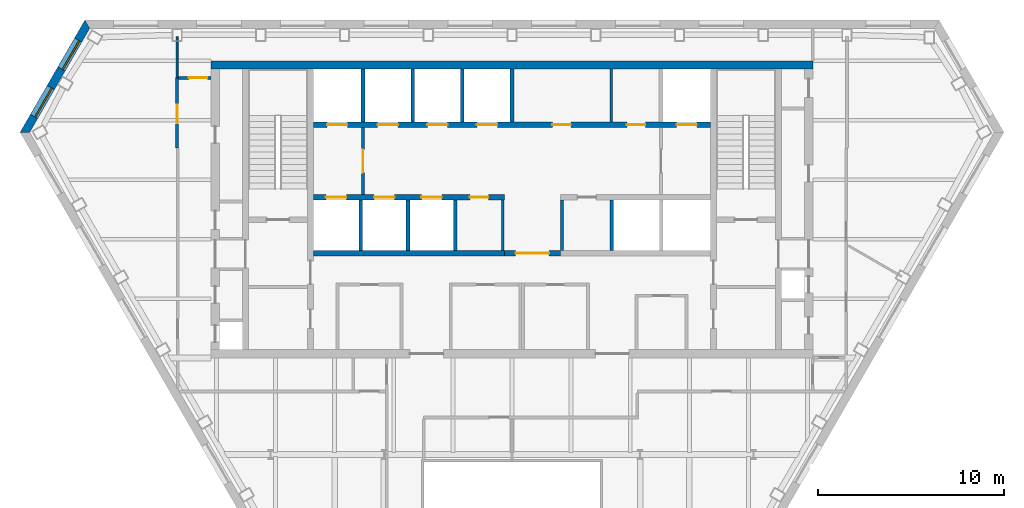
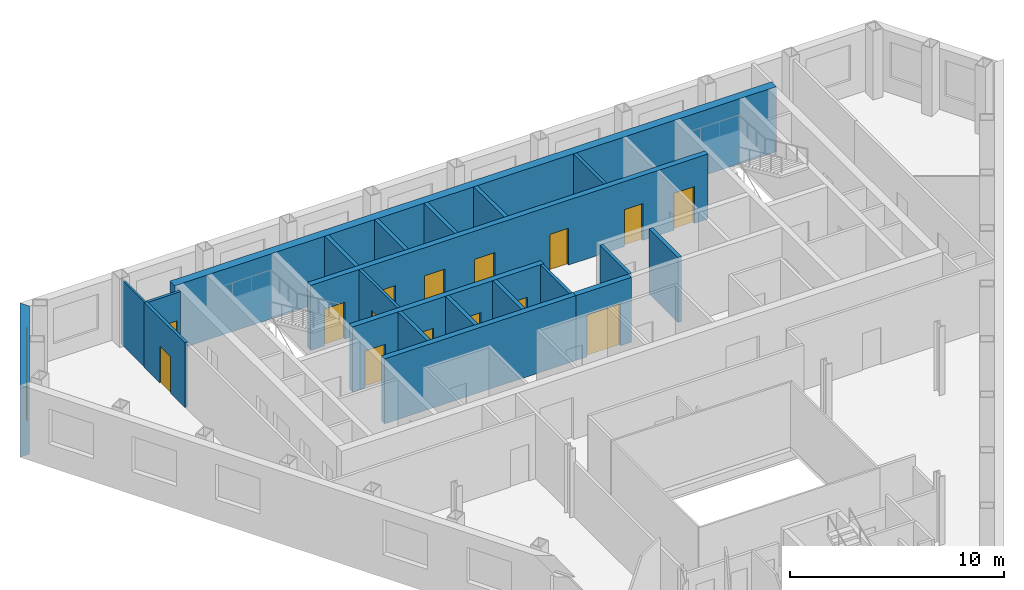
# One storey, part 6 of 11: 21 walls, 15 doors, 2 windows, 17 openings.
"""IFC4 building model written with IfcOpenShell, lengths in metres."""

from ifc_helpers import new_model, si_unit, direction, frame, frame_2d, origin, place, context, subcontext, project, spatial, polyline, rectangle, outline, extrude, material, layer, layer_set, type_object, element, fill, save


model = new_model("IFC4")

# Units and contexts
model_context = context("Model", 3, precision=1e-05, world=origin(), true_north=direction((0.0, 1.0)))
body_context = subcontext(model_context, "Body", "Model", "MODEL_VIEW")
ifc_project = project(units=[si_unit("LENGTHUNIT", "METRE"), si_unit("AREAUNIT", "SQUARE_METRE"), si_unit("VOLUMEUNIT", "CUBIC_METRE"), si_unit("PLANEANGLEUNIT", "RADIAN"), si_unit("MASSUNIT", "GRAM", prefix="KILO")], contexts=[model_context])

# Site, building, storey
site_placement = place(None, origin())
site = spatial("IfcSite", under=ifc_project, at=site_placement, CompositionType="ELEMENT")
building_placement = place(site_placement, origin())
building = spatial("IfcBuilding", under=site, at=building_placement, Name="Njiva Tower", CompositionType="ELEMENT")
storey_placement = place(building_placement, frame((0.0, 0.0, 223.8)))
storey = spatial("IfcBuildingStorey", under=building, at=storey_placement, Name="L50", CompositionType="ELEMENT", Elevation=223.8)

# Walls
ifc_material_1 = material(Name="Blockwork", Category="masonry")
ifc_layer_1 = layer(ifc_material_1, 0.15)
ifc_layer_set_1 = layer_set([ifc_layer_1], Name="Blockwork")
wall_type_1 = type_object("IfcWallType", Name="WT1 Compartment partition 150", PredefinedType="PARTITIONING", material=ifc_layer_set_1)
wall_1_placement = place(storey_placement, frame((5.35, 14.7, 0.0), z_axis=(0.0, 0.0, 1.0), x_axis=(0.0, 1.0, 0.0)))
element("IfcWall", 1, at=wall_1_placement, inside=storey, type_object=wall_type_1, Name="Partition CN6", PredefinedType="PARTITIONING", context=body_context, shape_type="SweptSolid", body=[
    extrude(rectangle(XDim=2.85, YDim=0.15, at=frame_2d((1.425, 0.0))), origin(), (0.0, 0.0, 1.0), 3.7),
])
for number, where, z_axis, x_axis, name in (
    (2, (-0.5, 7.8, 0.0), (0.0, 0.0, 1.0), (0.0, 1.0, 0.0), "Partition CS4"),
    (3, (2.7, 7.8, 0.0), (0.0, 0.0, 1.0), (0.0, 1.0, 0.0), "Partition CS5"),
):
    element("IfcWall", number, at=place(storey_placement, frame(where, z_axis=z_axis, x_axis=x_axis)), inside=storey, type_object=wall_type_1, Name=name, PredefinedType="PARTITIONING", context=body_context, shape_type="SweptSolid", body=[
        extrude(rectangle(XDim=2.7, YDim=0.15, at=frame_2d((1.35, 0.0))), origin(), (0.0, 0.0, 1.0), 3.7),
    ])
ifc_material_2 = material(Name="Concrete C60/75", Category="concrete")
ifc_layer_2 = layer(ifc_material_2, 0.45)
ifc_layer_set_2 = layer_set([ifc_layer_2], Name="Concrete C60/75")
wall_type_2 = type_object("IfcWallType", Name="WT12 Core wall 450", PredefinedType="SHEAR", material=ifc_layer_set_2)
wall_2_placement = place(storey_placement, frame((-16.2, 17.775, 0.0), z_axis=(0.0, 0.0, 1.0), x_axis=(1.0, 0.0, 0.0)))
element("IfcWall", 4, at=wall_2_placement, inside=storey, type_object=wall_type_2, Name="Core wall north", PredefinedType="SHEAR", context=body_context, shape_type="SweptSolid", body=[
    extrude(rectangle(XDim=32.4, YDim=0.45, at=frame_2d((16.2, 0.0))), origin(), (0.0, 0.0, 1.0), 3.7),
])

# Wall, opening, door
ifc_layer_3 = layer(ifc_material_1, 0.15)
ifc_layer_set_3 = layer_set([ifc_layer_3], Name="Blockwork")
wall_type_3 = type_object("IfcWallType", Name="WT2 Lobby partition 150", PredefinedType="PARTITIONING", material=ifc_layer_set_3)
wall_3_placement = place(storey_placement, frame((-8.025, 10.8, 0.0), z_axis=(0.0, 0.0, 1.0), x_axis=(0.0, 1.0, 0.0)))
wall_3 = element("IfcWall", 5, at=wall_3_placement, inside=storey, type_object=wall_type_3, Name="Firefighting lobby wall A", PredefinedType="PARTITIONING", context=body_context, shape_type="SweptSolid", body=[
    extrude(rectangle(XDim=3.6, YDim=0.15, at=frame_2d((1.8, 0.0))), origin(), (0.0, 0.0, 1.0), 3.7),
])
opening_1_placement = place(wall_3_placement, frame((1.175, 0.0, 0.0)))
opening_1 = element("IfcOpeningElement", 6, at=opening_1_placement, cuts=wall_3, Name="Opening S16-D913", PredefinedType="OPENING", context=body_context, shape_type="SweptSolid", body=[
    extrude(rectangle(XDim=1.25, YDim=2.1, at=frame_2d((0.625, 1.05))), frame((0.0, 0.085, 0.0), z_axis=(0.0, -1.0, 0.0), x_axis=(1.0, 0.0, 0.0)), (0.0, 0.0, 1.0), 0.17),
])
ifc_material_3 = material(Name="Glazed steel fire door", Category="steel")
door_type_1 = type_object("IfcDoorType", Name="D8 Vestibule corridor door 1250x2100 glazed", OperationType="SINGLE_SWING_LEFT", PredefinedType="DOOR", material=ifc_material_3)
door_1_placement = place(opening_1_placement, origin())
door_1 = element("IfcDoor", 7, at=door_1_placement, inside=storey, type_object=door_type_1, Name="Stair vestibule corridor door", OperationType="SINGLE_SWING_RIGHT", OverallHeight=2.1, OverallWidth=1.25, PredefinedType="DOOR", context=body_context, shape_type="SweptSolid", body=[
    extrude(rectangle(XDim=1.25, YDim=2.1, at=frame_2d((0.625, 1.05))), frame((0.0, 0.025, 0.0), z_axis=(0.0, -1.0, 0.0), x_axis=(1.0, 0.0, 0.0)), (0.0, 0.0, 1.0), 0.05),
])
fill(opening_1, door_1)

# Wall
ifc_material_4 = material(Name="Gypsum board on steel studs", Category="gypsum")
ifc_layer_4 = layer(ifc_material_4, 0.1)
ifc_layer_set_4 = layer_set([ifc_layer_4], Name="Gypsum board on steel studs")
wall_type_4 = type_object("IfcWallType", Name="WT20 Gypsum partition 100", PredefinedType="PARTITIONING", material=ifc_layer_set_4)
wall_4_placement = place(storey_placement, frame((-18.034, 17.091, 0.0), z_axis=(0.0, 0.0, 1.0), x_axis=(0.0, 1.0, 0.0)))
element("IfcWall", 8, at=wall_4_placement, inside=storey, type_object=wall_type_4, Name="Partition S16-P002", PredefinedType="PARTITIONING", context=body_context, shape_type="SweptSolid", body=[
    extrude(rectangle(XDim=2.209, YDim=0.1, at=frame_2d((1.1045, 0.0))), origin(), (0.0, 0.0, 1.0), 3.7),
])

# Wall, opening, door
ifc_layer_5 = layer(ifc_material_4, 0.15)
ifc_layer_set_5 = layer_set([ifc_layer_5], Name="Gypsum board on steel studs")
wall_type_5 = type_object("IfcWallType", Name="WT21 Compartment wall 150", PredefinedType="PARTITIONING", material=ifc_layer_set_5)
wall_5_placement = place(storey_placement, frame((-18.034, 13.3, 0.0), z_axis=(0.0, 0.0, 1.0), x_axis=(0.0, 1.0, 0.0)))
wall_5 = element("IfcWall", 9, at=wall_5_placement, inside=storey, type_object=wall_type_5, Name="Partition S16-P001", PredefinedType="PARTITIONING", context=body_context, shape_type="SweptSolid", body=[
    extrude(rectangle(XDim=3.791, YDim=0.15, at=frame_2d((1.8955, 0.0))), origin(), (0.0, 0.0, 1.0), 3.7),
])
opening_2_placement = place(wall_5_placement, frame((1.344, 0.0, 0.0)))
opening_2 = element("IfcOpeningElement", 10, at=opening_2_placement, cuts=wall_5, Name="Opening S16-D001", PredefinedType="OPENING", context=body_context, shape_type="SweptSolid", body=[
    extrude(rectangle(XDim=1.0, YDim=2.1, at=frame_2d((0.5, 1.05))), frame((0.0, 0.085, 0.0), z_axis=(0.0, -1.0, 0.0), x_axis=(1.0, 0.0, 0.0)), (0.0, 0.0, 1.0), 0.17),
])
ifc_material_5 = material(Name="Steel fire door set", Category="steel")
door_type_2 = type_object("IfcDoorType", Name="D37 Fire door 1000x2100", OperationType="SINGLE_SWING_LEFT", PredefinedType="DOOR", material=ifc_material_5)
door_2_placement = place(opening_2_placement, origin())
door_2 = element("IfcDoor", 11, at=door_2_placement, inside=storey, type_object=door_type_2, Name="Door S16-D001", OperationType="SINGLE_SWING_RIGHT", OverallHeight=2.1, OverallWidth=1.0, PredefinedType="DOOR", context=body_context, shape_type="SweptSolid", body=[
    extrude(rectangle(XDim=1.0, YDim=2.1, at=frame_2d((0.5, 1.05))), frame((0.0, 0.025, 0.0), z_axis=(0.0, -1.0, 0.0), x_axis=(1.0, 0.0, 0.0)), (0.0, 0.0, 1.0), 0.05),
])
fill(opening_2, door_2)

wall_6_placement = place(storey_placement, frame((-17.959, 17.079, 0.0), z_axis=(0.0, 0.0, 1.0), x_axis=(1.0, 0.0, 0.0)))
wall_6 = element("IfcWall", 12, at=wall_6_placement, inside=storey, type_object=wall_type_5, Name="Partition S16-P004", PredefinedType="PARTITIONING", context=body_context, shape_type="SweptSolid", body=[
    extrude(rectangle(XDim=1.759, YDim=0.15, at=frame_2d((0.8795, 0.0))), origin(), (0.0, 0.0, 1.0), 3.7),
])
opening_3_placement = place(wall_6_placement, frame((0.559, 0.0, 0.0)))
opening_3 = element("IfcOpeningElement", 13, at=opening_3_placement, cuts=wall_6, Name="Opening S16-D003", PredefinedType="OPENING", context=body_context, shape_type="SweptSolid", body=[
    extrude(rectangle(XDim=1.0, YDim=2.1, at=frame_2d((0.5, 1.05))), frame((0.0, 0.085, 0.0), z_axis=(0.0, -1.0, 0.0), x_axis=(1.0, 0.0, 0.0)), (0.0, 0.0, 1.0), 0.17),
])
door_3_placement = place(opening_3_placement, origin())
door_3 = element("IfcDoor", 14, at=door_3_placement, inside=storey, type_object=door_type_2, Name="Door S16-D003", OperationType="SINGLE_SWING_LEFT", OverallHeight=2.1, OverallWidth=1.0, PredefinedType="DOOR", context=body_context, shape_type="SweptSolid", body=[
    extrude(rectangle(XDim=1.0, YDim=2.1, at=frame_2d((0.5, 1.05))), frame((0.0, 0.025, 0.0), z_axis=(0.0, -1.0, 0.0), x_axis=(1.0, 0.0, 0.0)), (0.0, 0.0, 1.0), 0.05),
])
fill(opening_3, door_3)

ifc_layer_6 = layer(ifc_material_1, 0.3)
ifc_layer_set_6 = layer_set([ifc_layer_6], Name="Blockwork")
wall_type_6 = type_object("IfcWallType", Name="WT5 Lobby partition 300", PredefinedType="PARTITIONING", material=ifc_layer_set_6)
wall_7_placement = place(storey_placement, frame((-0.4, 7.65, 0.0), z_axis=(0.0, 0.0, 1.0), x_axis=(1.0, 0.0, 0.0)))
wall_7 = element("IfcWall", 15, at=wall_7_placement, inside=storey, type_object=wall_type_6, Name="Lift lobby screen wall", PredefinedType="PARTITIONING", context=body_context, shape_type="SweptSolid", body=[
    extrude(rectangle(XDim=3.0, YDim=0.3, at=frame_2d((1.5, 0.0))), origin(), (0.0, 0.0, 1.0), 3.7),
])
opening_4_placement = place(wall_7_placement, frame((0.6, 0.0, 0.0)))
opening_4 = element("IfcOpeningElement", 16, at=opening_4_placement, cuts=wall_7, Name="Opening S16-D937", PredefinedType="OPENING", context=body_context, shape_type="SweptSolid", body=[
    extrude(rectangle(XDim=1.8, YDim=2.4, at=frame_2d((0.9, 1.2))), frame((0.0, 0.16, 0.0), z_axis=(0.0, -1.0, 0.0), x_axis=(1.0, 0.0, 0.0)), (0.0, 0.0, 1.0), 0.32),
])
ifc_material_6 = material(Name="Steel and glass door", Category="steel")
door_type_3 = type_object("IfcDoorType", Name="D3 Core entrance door 1800x2400", OperationType="DOUBLE_DOOR_SINGLE_SWING", PredefinedType="DOOR", material=ifc_material_6)
door_4_placement = place(opening_4_placement, origin())
door_4 = element("IfcDoor", 17, at=door_4_placement, inside=storey, type_object=door_type_3, Name="Core entrance door", OperationType="DOUBLE_DOOR_SINGLE_SWING", OverallHeight=2.4, OverallWidth=1.8, PredefinedType="DOOR", context=body_context, shape_type="SweptSolid", body=[
    extrude(rectangle(XDim=1.8, YDim=2.4, at=frame_2d((0.9, 1.2))), frame((0.0, 0.025, 0.0), z_axis=(0.0, -1.0, 0.0), x_axis=(1.0, 0.0, 0.0)), (0.0, 0.0, 1.0), 0.05),
])
fill(opening_4, door_4)

# Walls
ifc_material_7 = material(Name="Concrete C40/50", Category="concrete")
ifc_layer_7 = layer(ifc_material_7, 0.2)
ifc_layer_set_7 = layer_set([ifc_layer_7], Name="Concrete C40/50")
wall_type_7 = type_object("IfcWallType", Name="WT6 Lift shaft wall 200", PredefinedType="SHEAR", material=ifc_layer_set_7)
for number, where, z_axis, x_axis, name in (
    (18, (-8.025, 14.7, 0.0), (0.0, 0.0, 1.0), (0.0, 1.0, 0.0), "Shaft wall CN1"),
    (19, (-5.35, 14.7, 0.0), (0.0, 0.0, 1.0), (0.0, 1.0, 0.0), "Shaft wall CN2"),
    (20, (-2.675, 14.7, 0.0), (0.0, 0.0, 1.0), (0.0, 1.0, 0.0), "Shaft wall CN3"),
    (21, (0.0, 14.7, 0.0), (0.0, 0.0, 1.0), (0.0, 1.0, 0.0), "Shaft wall CN4"),
):
    element("IfcWall", number, at=place(storey_placement, frame(where, z_axis=z_axis, x_axis=x_axis)), inside=storey, type_object=wall_type_7, Name=name, PredefinedType="SHEAR", context=body_context, shape_type="SweptSolid", body=[
        extrude(rectangle(XDim=2.85, YDim=0.2, at=frame_2d((1.425, 0.0))), origin(), (0.0, 0.0, 1.0), 3.7),
    ])
for number, where, z_axis, x_axis, name in (
    (22, (-8.15, 7.8, 0.0), (0.0, 0.0, 1.0), (0.0, 1.0, 0.0), "Shaft wall CS1"),
    (23, (-5.6, 7.8, 0.0), (0.0, 0.0, 1.0), (0.0, 1.0, 0.0), "Shaft wall CS2"),
    (24, (-3.05, 7.8, 0.0), (0.0, 0.0, 1.0), (0.0, 1.0, 0.0), "Shaft wall CS3"),
    (25, (5.3667, 7.8, 0.0), (0.0, 0.0, 1.0), (0.0, 1.0, 0.0), "Shaft wall CS6"),
):
    element("IfcWall", number, at=place(storey_placement, frame(where, z_axis=z_axis, x_axis=x_axis)), inside=storey, type_object=wall_type_7, Name=name, PredefinedType="SHEAR", context=body_context, shape_type="SweptSolid", body=[
        extrude(rectangle(XDim=2.7, YDim=0.2, at=frame_2d((1.35, 0.0))), origin(), (0.0, 0.0, 1.0), 3.7),
    ])

# Wall, openings, doors
ifc_layer_8 = layer(ifc_material_7, 0.3)
ifc_layer_set_8 = layer_set([ifc_layer_8], Name="Concrete C40/50")
wall_type_8 = type_object("IfcWallType", Name="WT7 Lift shaft wall 300", PredefinedType="SHEAR", material=ifc_layer_set_8)
wall_8_placement = place(storey_placement, frame((-10.7, 14.55, 0.0), z_axis=(0.0, 0.0, 1.0), x_axis=(1.0, 0.0, 0.0)))
wall_8 = element("IfcWall", 26, at=wall_8_placement, inside=storey, type_object=wall_type_8, Name="Shaft wall north row lobby side", PredefinedType="SHEAR", context=body_context, shape_type="SweptSolid", body=[
    extrude(rectangle(XDim=21.4, YDim=0.3, at=frame_2d((10.7, 0.0))), origin(), (0.0, 0.0, 1.0), 3.7),
])
opening_5_placement = place(wall_8_placement, frame((0.7375, 0.0, 0.0)))
opening_5 = element("IfcOpeningElement", 27, at=opening_5_placement, cuts=wall_8, Name="Opening S16-D901", PredefinedType="OPENING", context=body_context, shape_type="SweptSolid", body=[
    extrude(rectangle(XDim=1.1, YDim=2.1, at=frame_2d((0.55, 1.05))), frame((0.0, 0.16, 0.0), z_axis=(0.0, -1.0, 0.0), x_axis=(1.0, 0.0, 0.0)), (0.0, 0.0, 1.0), 0.32),
])
opening_6_placement = place(wall_8_placement, frame((3.4625, 0.0, 0.0)))
opening_6 = element("IfcOpeningElement", 28, at=opening_6_placement, cuts=wall_8, Name="Opening S16-D902", PredefinedType="OPENING", context=body_context, shape_type="SweptSolid", body=[
    extrude(rectangle(XDim=1.1, YDim=2.1, at=frame_2d((0.55, 1.05))), frame((0.0, 0.16, 0.0), z_axis=(0.0, -1.0, 0.0), x_axis=(1.0, 0.0, 0.0)), (0.0, 0.0, 1.0), 0.32),
])
opening_7_placement = place(wall_8_placement, frame((6.1375, 0.0, 0.0)))
opening_7 = element("IfcOpeningElement", 29, at=opening_7_placement, cuts=wall_8, Name="Opening S16-D903", PredefinedType="OPENING", context=body_context, shape_type="SweptSolid", body=[
    extrude(rectangle(XDim=1.1, YDim=2.1, at=frame_2d((0.55, 1.05))), frame((0.0, 0.16, 0.0), z_axis=(0.0, -1.0, 0.0), x_axis=(1.0, 0.0, 0.0)), (0.0, 0.0, 1.0), 0.32),
])
opening_8_placement = place(wall_8_placement, frame((8.8125, 0.0, 0.0)))
opening_8 = element("IfcOpeningElement", 30, at=opening_8_placement, cuts=wall_8, Name="Opening S16-D904", PredefinedType="OPENING", context=body_context, shape_type="SweptSolid", body=[
    extrude(rectangle(XDim=1.1, YDim=2.1, at=frame_2d((0.55, 1.05))), frame((0.0, 0.16, 0.0), z_axis=(0.0, -1.0, 0.0), x_axis=(1.0, 0.0, 0.0)), (0.0, 0.0, 1.0), 0.32),
])
opening_9_placement = place(wall_8_placement, frame((19.5625, 0.0, 0.0)))
opening_9 = element("IfcOpeningElement", 31, at=opening_9_placement, cuts=wall_8, Name="Opening S16-D905", PredefinedType="OPENING", context=body_context, shape_type="SweptSolid", body=[
    extrude(rectangle(XDim=1.1, YDim=2.1, at=frame_2d((0.55, 1.05))), frame((0.0, 0.16, 0.0), z_axis=(0.0, -1.0, 0.0), x_axis=(1.0, 0.0, 0.0)), (0.0, 0.0, 1.0), 0.32),
])
opening_10_placement = place(wall_8_placement, frame((12.875, 0.0, 0.0)))
opening_10 = element("IfcOpeningElement", 32, at=opening_10_placement, cuts=wall_8, Name="Opening S16-D909", PredefinedType="OPENING", context=body_context, shape_type="SweptSolid", body=[
    extrude(rectangle(XDim=1.0, YDim=2.1, at=frame_2d((0.5, 1.05))), frame((0.0, 0.16, 0.0), z_axis=(0.0, -1.0, 0.0), x_axis=(1.0, 0.0, 0.0)), (0.0, 0.0, 1.0), 0.32),
])
opening_11_placement = place(wall_8_placement, frame((16.8875, 0.0, 0.0)))
opening_11 = element("IfcOpeningElement", 33, at=opening_11_placement, cuts=wall_8, Name="Opening S16-D910", PredefinedType="OPENING", context=body_context, shape_type="SweptSolid", body=[
    extrude(rectangle(XDim=1.0, YDim=2.1, at=frame_2d((0.5, 1.05))), frame((0.0, 0.16, 0.0), z_axis=(0.0, -1.0, 0.0), x_axis=(1.0, 0.0, 0.0)), (0.0, 0.0, 1.0), 0.32),
])
ifc_material_8 = material(Name="Steel door, painted", Category="steel")
door_type_4 = type_object("IfcDoorType", Name="D5 Steel door 1000x2100", OperationType="SINGLE_SWING_LEFT", PredefinedType="DOOR", material=ifc_material_8)
door_5_placement = place(opening_10_placement, origin())
door_5 = element("IfcDoor", 34, at=door_5_placement, inside=storey, type_object=door_type_4, Name="Reading room door", OperationType="SINGLE_SWING_LEFT", OverallHeight=2.1, OverallWidth=1.0, PredefinedType="DOOR", context=body_context, shape_type="SweptSolid", body=[
    extrude(rectangle(XDim=1.0, YDim=2.1, at=frame_2d((0.5, 1.05))), frame((0.0, 0.025, 0.0), z_axis=(0.0, -1.0, 0.0), x_axis=(1.0, 0.0, 0.0)), (0.0, 0.0, 1.0), 0.05),
])
fill(opening_10, door_5)
door_6_placement = place(opening_11_placement, origin())
door_6 = element("IfcDoor", 35, at=door_6_placement, inside=storey, type_object=door_type_4, Name="Business centre door", OperationType="SINGLE_SWING_LEFT", OverallHeight=2.1, OverallWidth=1.0, PredefinedType="DOOR", context=body_context, shape_type="SweptSolid", body=[
    extrude(rectangle(XDim=1.0, YDim=2.1, at=frame_2d((0.5, 1.05))), frame((0.0, 0.025, 0.0), z_axis=(0.0, -1.0, 0.0), x_axis=(1.0, 0.0, 0.0)), (0.0, 0.0, 1.0), 0.05),
])
fill(opening_11, door_6)
ifc_material_9 = material(Name="Stainless steel sliding door", Category="steel")
door_type_5 = type_object("IfcDoorType", Name="LD Lift landing door 1100x2100", OperationType="SLIDING_TO_LEFT", PredefinedType="DOOR", material=ifc_material_9)
door_7_placement = place(opening_5_placement, origin())
door_7 = element("IfcDoor", 36, at=door_7_placement, inside=storey, type_object=door_type_5, Name="Lift landing door FF1", OperationType="SLIDING_TO_LEFT", OverallHeight=2.1, OverallWidth=1.1, PredefinedType="DOOR", context=body_context, shape_type="SweptSolid", body=[
    extrude(rectangle(XDim=1.1, YDim=2.1, at=frame_2d((0.55, 1.05))), frame((0.0, 0.025, 0.0), z_axis=(0.0, -1.0, 0.0), x_axis=(1.0, 0.0, 0.0)), (0.0, 0.0, 1.0), 0.05),
])
fill(opening_5, door_7)
door_8_placement = place(opening_6_placement, origin())
door_8 = element("IfcDoor", 37, at=door_8_placement, inside=storey, type_object=door_type_5, Name="Lift landing door MB4", OperationType="SLIDING_TO_LEFT", OverallHeight=2.1, OverallWidth=1.1, PredefinedType="DOOR", context=body_context, shape_type="SweptSolid", body=[
    extrude(rectangle(XDim=1.1, YDim=2.1, at=frame_2d((0.55, 1.05))), frame((0.0, 0.025, 0.0), z_axis=(0.0, -1.0, 0.0), x_axis=(1.0, 0.0, 0.0)), (0.0, 0.0, 1.0), 0.05),
])
fill(opening_6, door_8)
door_9_placement = place(opening_7_placement, origin())
door_9 = element("IfcDoor", 38, at=door_9_placement, inside=storey, type_object=door_type_5, Name="Lift landing door MB5", OperationType="SLIDING_TO_LEFT", OverallHeight=2.1, OverallWidth=1.1, PredefinedType="DOOR", context=body_context, shape_type="SweptSolid", body=[
    extrude(rectangle(XDim=1.1, YDim=2.1, at=frame_2d((0.55, 1.05))), frame((0.0, 0.025, 0.0), z_axis=(0.0, -1.0, 0.0), x_axis=(1.0, 0.0, 0.0)), (0.0, 0.0, 1.0), 0.05),
])
fill(opening_7, door_9)
door_10_placement = place(opening_8_placement, origin())
door_10 = element("IfcDoor", 39, at=door_10_placement, inside=storey, type_object=door_type_5, Name="Lift landing door MB6", OperationType="SLIDING_TO_LEFT", OverallHeight=2.1, OverallWidth=1.1, PredefinedType="DOOR", context=body_context, shape_type="SweptSolid", body=[
    extrude(rectangle(XDim=1.1, YDim=2.1, at=frame_2d((0.55, 1.05))), frame((0.0, 0.025, 0.0), z_axis=(0.0, -1.0, 0.0), x_axis=(1.0, 0.0, 0.0)), (0.0, 0.0, 1.0), 0.05),
])
fill(opening_8, door_10)
door_11_placement = place(opening_9_placement, origin())
door_11 = element("IfcDoor", 40, at=door_11_placement, inside=storey, type_object=door_type_5, Name="Lift landing door FF2", OperationType="SLIDING_TO_LEFT", OverallHeight=2.1, OverallWidth=1.1, PredefinedType="DOOR", context=body_context, shape_type="SweptSolid", body=[
    extrude(rectangle(XDim=1.1, YDim=2.1, at=frame_2d((0.55, 1.05))), frame((0.0, 0.025, 0.0), z_axis=(0.0, -1.0, 0.0), x_axis=(1.0, 0.0, 0.0)), (0.0, 0.0, 1.0), 0.05),
])
fill(opening_9, door_11)

wall_9_placement = place(storey_placement, frame((-10.7, 10.65, 0.0), z_axis=(0.0, 0.0, 1.0), x_axis=(1.0, 0.0, 0.0)))
wall_9 = element("IfcWall", 41, at=wall_9_placement, inside=storey, type_object=wall_type_8, Name="Shaft wall south row lobby side W", PredefinedType="SHEAR", context=body_context, shape_type="SweptSolid", body=[
    extrude(rectangle(XDim=10.3, YDim=0.3, at=frame_2d((5.15, 0.0))), origin(), (0.0, 0.0, 1.0), 3.7),
])
opening_12_placement = place(wall_9_placement, frame((0.675, 0.0, 0.0)))
opening_12 = element("IfcOpeningElement", 42, at=opening_12_placement, cuts=wall_9, Name="Opening S16-D906", PredefinedType="OPENING", context=body_context, shape_type="SweptSolid", body=[
    extrude(rectangle(XDim=1.1, YDim=2.1, at=frame_2d((0.55, 1.05))), frame((0.0, 0.16, 0.0), z_axis=(0.0, -1.0, 0.0), x_axis=(1.0, 0.0, 0.0)), (0.0, 0.0, 1.0), 0.32),
])
opening_13_placement = place(wall_9_placement, frame((3.275, 0.0, 0.0)))
opening_13 = element("IfcOpeningElement", 43, at=opening_13_placement, cuts=wall_9, Name="Opening S16-D907", PredefinedType="OPENING", context=body_context, shape_type="SweptSolid", body=[
    extrude(rectangle(XDim=1.1, YDim=2.1, at=frame_2d((0.55, 1.05))), frame((0.0, 0.16, 0.0), z_axis=(0.0, -1.0, 0.0), x_axis=(1.0, 0.0, 0.0)), (0.0, 0.0, 1.0), 0.32),
])
opening_14_placement = place(wall_9_placement, frame((5.825, 0.0, 0.0)))
opening_14 = element("IfcOpeningElement", 44, at=opening_14_placement, cuts=wall_9, Name="Opening S16-D908", PredefinedType="OPENING", context=body_context, shape_type="SweptSolid", body=[
    extrude(rectangle(XDim=1.1, YDim=2.1, at=frame_2d((0.55, 1.05))), frame((0.0, 0.16, 0.0), z_axis=(0.0, -1.0, 0.0), x_axis=(1.0, 0.0, 0.0)), (0.0, 0.0, 1.0), 0.32),
])
opening_15_placement = place(wall_9_placement, frame((8.425, 0.0, 0.0)))
opening_15 = element("IfcOpeningElement", 45, at=opening_15_placement, cuts=wall_9, Name="Opening S16-D911", PredefinedType="OPENING", context=body_context, shape_type="SweptSolid", body=[
    extrude(rectangle(XDim=1.0, YDim=2.1, at=frame_2d((0.5, 1.05))), frame((0.0, 0.16, 0.0), z_axis=(0.0, -1.0, 0.0), x_axis=(1.0, 0.0, 0.0)), (0.0, 0.0, 1.0), 0.32),
])
door_12_placement = place(opening_15_placement, origin())
door_12 = element("IfcDoor", 46, at=door_12_placement, inside=storey, type_object=door_type_4, Name="Prayer room door", OperationType="SINGLE_SWING_RIGHT", OverallHeight=2.1, OverallWidth=1.0, PredefinedType="DOOR", context=body_context, shape_type="SweptSolid", body=[
    extrude(rectangle(XDim=1.0, YDim=2.1, at=frame_2d((0.5, 1.05))), frame((0.0, 0.025, 0.0), z_axis=(0.0, -1.0, 0.0), x_axis=(1.0, 0.0, 0.0)), (0.0, 0.0, 1.0), 0.05),
])
fill(opening_15, door_12)
door_13_placement = place(opening_12_placement, origin())
door_13 = element("IfcDoor", 47, at=door_13_placement, inside=storey, type_object=door_type_5, Name="Lift landing door MB1", OperationType="SLIDING_TO_LEFT", OverallHeight=2.1, OverallWidth=1.1, PredefinedType="DOOR", context=body_context, shape_type="SweptSolid", body=[
    extrude(rectangle(XDim=1.1, YDim=2.1, at=frame_2d((0.55, 1.05))), frame((0.0, 0.025, 0.0), z_axis=(0.0, -1.0, 0.0), x_axis=(1.0, 0.0, 0.0)), (0.0, 0.0, 1.0), 0.05),
])
fill(opening_12, door_13)
door_14_placement = place(opening_13_placement, origin())
door_14 = element("IfcDoor", 48, at=door_14_placement, inside=storey, type_object=door_type_5, Name="Lift landing door MB2", OperationType="SLIDING_TO_LEFT", OverallHeight=2.1, OverallWidth=1.1, PredefinedType="DOOR", context=body_context, shape_type="SweptSolid", body=[
    extrude(rectangle(XDim=1.1, YDim=2.1, at=frame_2d((0.55, 1.05))), frame((0.0, 0.025, 0.0), z_axis=(0.0, -1.0, 0.0), x_axis=(1.0, 0.0, 0.0)), (0.0, 0.0, 1.0), 0.05),
])
fill(opening_13, door_14)
door_15_placement = place(opening_14_placement, origin())
door_15 = element("IfcDoor", 49, at=door_15_placement, inside=storey, type_object=door_type_5, Name="Lift landing door MB3", OperationType="SLIDING_TO_LEFT", OverallHeight=2.1, OverallWidth=1.1, PredefinedType="DOOR", context=body_context, shape_type="SweptSolid", body=[
    extrude(rectangle(XDim=1.1, YDim=2.1, at=frame_2d((0.55, 1.05))), frame((0.0, 0.025, 0.0), z_axis=(0.0, -1.0, 0.0), x_axis=(1.0, 0.0, 0.0)), (0.0, 0.0, 1.0), 0.05),
])
fill(opening_14, door_15)

# Wall
wall_10_placement = place(storey_placement, frame((-10.7, 7.65, 0.0), z_axis=(0.0, 0.0, 1.0), x_axis=(1.0, 0.0, 0.0)))
element("IfcWall", 50, at=wall_10_placement, inside=storey, type_object=wall_type_8, Name="Shaft wall south row back W", PredefinedType="SHEAR", context=body_context, shape_type="SweptSolid", body=[
    extrude(rectangle(XDim=10.3, YDim=0.3, at=frame_2d((5.15, 0.0))), origin(), (0.0, 0.0, 1.0), 3.7),
])

# Wall, openings, windows
ifc_material_10 = material(Name="Brick masonry, buff", Category="masonry")
ifc_layer_9 = layer(ifc_material_10, 0.45)
ifc_layer_set_9 = layer_set([ifc_layer_9], Name="Brick masonry, buff")
wall_type_9 = type_object("IfcWallType", Name="WT94 Brick pier and spandrel wall 450, buff", PredefinedType="SOLIDWALL", material=ifc_layer_set_9)
wall_11_placement = place(storey_placement, frame((-22.8713, 19.9728, -0.4), z_axis=(0.0, 0.0, 1.0), x_axis=(-0.500004118585, -0.866023025905, 0.0)))
wall_11 = element("IfcWall", 51, at=wall_11_placement, inside=storey, type_object=wall_type_9, Name="Facade wall NW", PredefinedType="SOLIDWALL", context=body_context, shape_type="SweptSolid", body=[
    extrude(outline(polyline([(-0.1299, -0.225), (6.85, -0.225), (6.5902, 0.225), (0.1299, 0.225), (-0.1299, -0.225)])), origin(), (0.0, 0.0, 1.0), 3.9),
])
opening_16_placement = place(wall_11_placement, frame((0.9844, 0.0, 1.3)))
opening_16 = element("IfcOpeningElement", 52, at=opening_16_placement, cuts=wall_11, Name="Opening S16-W10", PredefinedType="OPENING", context=body_context, shape_type="SweptSolid", body=[
    extrude(rectangle(XDim=1.8, YDim=2.0, at=frame_2d((0.9, 1.0))), frame((0.0, 0.235, 0.0), z_axis=(0.0, -1.0, 0.0), x_axis=(1.0, 0.0, 0.0)), (0.0, 0.0, 1.0), 0.47),
])
opening_17_placement = place(wall_11_placement, frame((3.9357, 0.0, 1.3)))
opening_17 = element("IfcOpeningElement", 53, at=opening_17_placement, cuts=wall_11, Name="Opening S16-W11", PredefinedType="OPENING", context=body_context, shape_type="SweptSolid", body=[
    extrude(rectangle(XDim=1.8, YDim=2.0, at=frame_2d((0.9, 1.0))), frame((0.0, 0.235, 0.0), z_axis=(0.0, -1.0, 0.0), x_axis=(1.0, 0.0, 0.0)), (0.0, 0.0, 1.0), 0.47),
])
ifc_material_11 = material(Name="Clear glazing in aluminium frame", Category="aluminium")
window_type = type_object("IfcWindowType", Name="W94 Deep-set window 1800x2000", PartitioningType="SINGLE_PANEL", PredefinedType="WINDOW", material=ifc_material_11)
window_1_placement = place(opening_16_placement, origin())
window_1 = element("IfcWindow", 54, at=window_1_placement, inside=storey, type_object=window_type, Name="Window", OverallHeight=2.0, OverallWidth=1.8, PartitioningType="SINGLE_PANEL", PredefinedType="WINDOW", context=body_context, shape_type="SweptSolid", body=[
    extrude(rectangle(XDim=1.8, YDim=2.0, at=frame_2d((0.9, 1.0))), frame((0.0, 0.105, 0.0), z_axis=(0.0, -1.0, 0.0), x_axis=(1.0, 0.0, 0.0)), (0.0, 0.0, 1.0), 0.06),
])
fill(opening_16, window_1)
window_2_placement = place(opening_17_placement, origin())
window_2 = element("IfcWindow", 55, at=window_2_placement, inside=storey, type_object=window_type, Name="Window", OverallHeight=2.0, OverallWidth=1.8, PartitioningType="SINGLE_PANEL", PredefinedType="WINDOW", context=body_context, shape_type="SweptSolid", body=[
    extrude(rectangle(XDim=1.8, YDim=2.0, at=frame_2d((0.9, 1.0))), frame((0.0, 0.105, 0.0), z_axis=(0.0, -1.0, 0.0), x_axis=(1.0, 0.0, 0.0)), (0.0, 0.0, 1.0), 0.06),
])
fill(opening_17, window_2)

save(model, "model.ifc")
